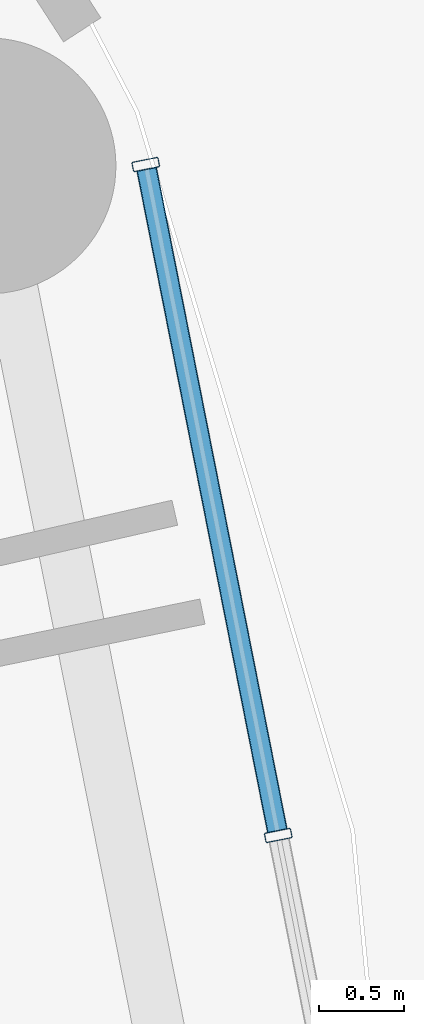
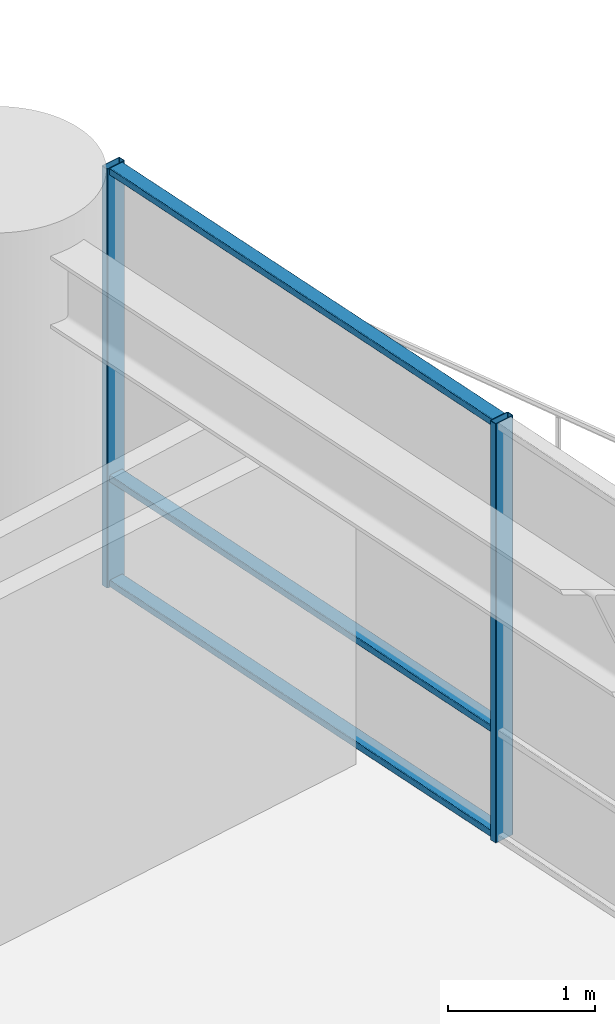
# One storey, part 20 of 34: 5 members, 1 element without a shape of its own.
"""IFC4 building model written with IfcOpenShell, lengths in metres."""

from ifc_helpers import new_model, si_unit, direction, frame, origin, origin_2d, place, context, subcontext, project, spatial, hollow_rectangle, extrude, material, layer, layer_set, material_profile, profile_set, type_object, element, aggregate, save


model = new_model("IFC4")

# Units and contexts
model_context = context("Model", 3, precision=1e-05, world=origin(), true_north=direction((0.0, 1.0)))
body_context = subcontext(model_context, "Body", "Model", "MODEL_VIEW")
ifc_project = project(units=[si_unit("LENGTHUNIT", "METRE"), si_unit("AREAUNIT", "SQUARE_METRE"), si_unit("VOLUMEUNIT", "CUBIC_METRE"), si_unit("PLANEANGLEUNIT", "RADIAN"), si_unit("MASSUNIT", "GRAM", prefix="KILO")], contexts=[model_context])

# Site, building, storey
site_placement = place(None, origin())
site = spatial("IfcSite", under=ifc_project, at=site_placement, CompositionType="ELEMENT")
building_placement = place(site_placement, origin())
building = spatial("IfcBuilding", under=site, at=building_placement, Name="Kelanora Arch Commons", CompositionType="ELEMENT")
storey_placement = place(building_placement, frame((0.0, 0.0, 33.75)))
storey = spatial("IfcBuildingStorey", under=building, at=storey_placement, Name="L08", CompositionType="ELEMENT", Elevation=33.75)

# Curtain wall, members
ifc_material_1 = material(Name="Terracotta ceramic-fritted low-E glass and aluminium", Category="masonry")
ifc_layer = layer(ifc_material_1, 0.159912109375)
ifc_layer_set = layer_set([ifc_layer], Name="Terracotta ceramic-fritted low-E glass and aluminium")
curtain_wall_type = type_object("IfcCurtainWallType", Name="CW-SYS-01", PredefinedType="NOTDEFINED", material=ifc_layer_set)
curtain_wall_placement = place(storey_placement, origin())
curtain_wall = element("IfcCurtainWall", 1, at=curtain_wall_placement, inside=storey, type_object=curtain_wall_type, Name="Unitised Curtain Wall L08-B00", PredefinedType="NOTDEFINED")
ifc_material_2 = material(Name="Powder-coated aluminium terracotta", Category="masonry")
ifc_material_profile_1 = material_profile(ifc_material_2, hollow_rectangle(XDim=0.159912109375, YDim=0.06005859375, WallThickness=0.0048828125, InnerFilletRadius=0.0048828125, OuterFilletRadius=0.010009765625, at=origin_2d()), Name="CWM160x60")
ifc_profile_set_1 = profile_set([ifc_material_profile_1], Name="Powder-coated aluminium terracotta")
member_type_1 = type_object("IfcMemberType", Name="CWM-STD", PredefinedType="MULLION", material=ifc_profile_set_1)
member_1_placement = place(storey_placement, frame((101.1484375, 62.3115234375, 0.0), z_axis=(0.0, 0.0, 1.0), x_axis=(-0.981052110579, -0.193744048498, 0.0)))
member_1 = element("IfcMember", 2, at=member_1_placement, type_object=member_type_1, Name="CW-01 mullion 2", PredefinedType="MULLION", context=body_context, shape_type="SweptSolid", body=[
    extrude(hollow_rectangle(XDim=0.159912109375, YDim=0.06005859375, WallThickness=0.0048828125, InnerFilletRadius=0.0048828125, OuterFilletRadius=0.010009765625, at=origin_2d()), origin(), (0.0, 0.0, 1.0), 3.47509765625),
])
member_2_placement = place(storey_placement, frame((100.371826171875, 66.243896484375, 0.0), z_axis=(0.0, 0.0, 1.0), x_axis=(-0.981052110579, -0.193744048498, 0.0)))
member_2 = element("IfcMember", 3, at=member_2_placement, type_object=member_type_1, Name="CW-01 mullion 3", PredefinedType="MULLION", context=body_context, shape_type="SweptSolid", body=[
    extrude(hollow_rectangle(XDim=0.159912109375, YDim=0.06005859375, WallThickness=0.0048828125, InnerFilletRadius=0.0048828125, OuterFilletRadius=0.010009765625, at=origin_2d()), origin(), (0.0, 0.0, 1.0), 3.47509765625),
])
ifc_material_profile_2 = material_profile(ifc_material_2, hollow_rectangle(XDim=0.1201171875, YDim=0.06005859375, WallThickness=0.0048828125, InnerFilletRadius=0.0048828125, OuterFilletRadius=0.010009765625, at=origin_2d()), Name="CWT120x60")
ifc_profile_set_2 = profile_set([ifc_material_profile_2], Name="Powder-coated aluminium terracotta")
member_type_2 = type_object("IfcMemberType", Name="CWT-STD", PredefinedType="USERDEFINED", material=ifc_profile_set_2)
member_3_placement = place(storey_placement, frame((101.142578125, 62.3408203125, 0.030029296875), z_axis=(-0.193725436624, 0.98105578598, 0.0), x_axis=(-0.98105578598, -0.193725436624, 0.0)))
member_3 = element("IfcMember", 4, at=member_3_placement, type_object=member_type_2, Name="CW-01 transom 2.1", ObjectType="TRANSOM", PredefinedType="USERDEFINED", context=body_context, shape_type="SweptSolid", body=[
    extrude(hollow_rectangle(XDim=0.1201171875, YDim=0.06005859375, WallThickness=0.0048828125, InnerFilletRadius=0.0048828125, OuterFilletRadius=0.010009765625, at=origin_2d()), origin(), (0.0, 0.0, 1.0), 3.9482421875),
])
member_4_placement = place(storey_placement, frame((101.142578125, 62.3408203125, 0.89990234375), z_axis=(-0.193725436624, 0.98105578598, 0.0), x_axis=(-0.98105578598, -0.193725436624, 0.0)))
member_4 = element("IfcMember", 5, at=member_4_placement, type_object=member_type_2, Name="CW-01 transom 2.2", ObjectType="TRANSOM", PredefinedType="USERDEFINED", context=body_context, shape_type="SweptSolid", body=[
    extrude(hollow_rectangle(XDim=0.1201171875, YDim=0.06005859375, WallThickness=0.0048828125, InnerFilletRadius=0.0048828125, OuterFilletRadius=0.010009765625, at=origin_2d()), origin(), (0.0, 0.0, 1.0), 3.9482421875),
])
member_5_placement = place(storey_placement, frame((101.142578125, 62.3408203125, 3.445068359375), z_axis=(-0.193725436624, 0.98105578598, 0.0), x_axis=(-0.98105578598, -0.193725436624, 0.0)))
member_5 = element("IfcMember", 6, at=member_5_placement, type_object=member_type_2, Name="CW-01 transom 2.3", ObjectType="TRANSOM", PredefinedType="USERDEFINED", context=body_context, shape_type="SweptSolid", body=[
    extrude(hollow_rectangle(XDim=0.1201171875, YDim=0.06005859375, WallThickness=0.0048828125, InnerFilletRadius=0.0048828125, OuterFilletRadius=0.010009765625, at=origin_2d()), origin(), (0.0, 0.0, 1.0), 3.9482421875),
])
aggregate(curtain_wall, [member_1, member_2, member_3, member_4, member_5])

save(model, "model.ifc")
